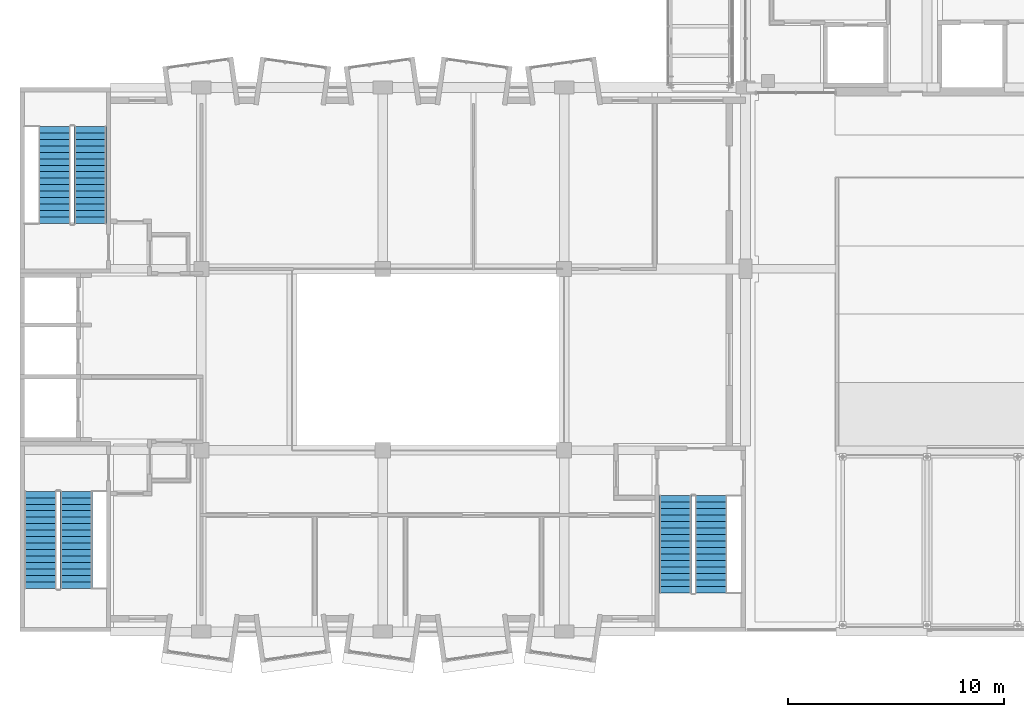
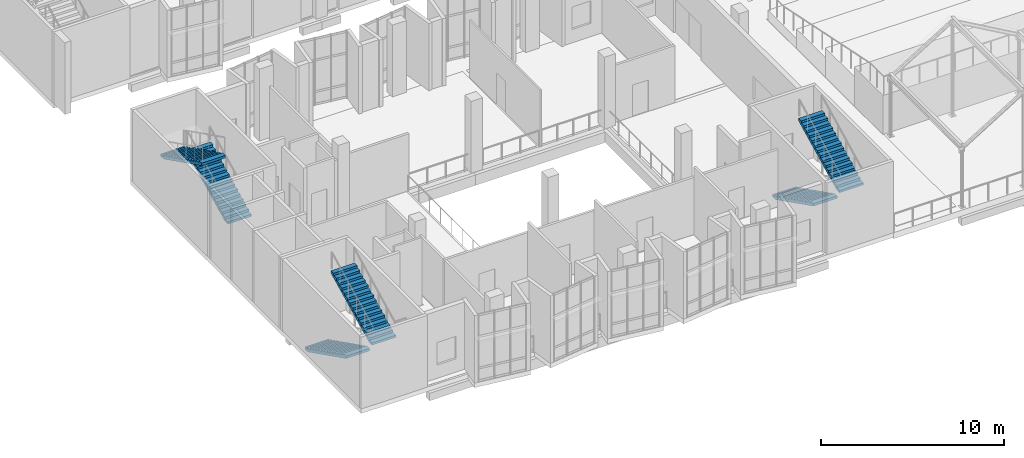
# One storey, part 51 of 67: 6 stair flights, 3 elements without a shape of their own.
"""IFC4 building model written with IfcOpenShell, lengths in metres."""

from ifc_helpers import new_model, si_unit, direction, frame, origin, place, context, subcontext, project, spatial, polyline, outline, extrude, material, type_object, element, aggregate, save


model = new_model("IFC4")

# Units and contexts
model_context = context("Model", 3, precision=1e-05, world=origin(), true_north=direction((0.0, 1.0)))
body_context = subcontext(model_context, "Body", "Model", "MODEL_VIEW")
ifc_project = project(units=[si_unit("LENGTHUNIT", "METRE"), si_unit("AREAUNIT", "SQUARE_METRE"), si_unit("VOLUMEUNIT", "CUBIC_METRE"), si_unit("PLANEANGLEUNIT", "RADIAN"), si_unit("MASSUNIT", "GRAM", prefix="KILO")], contexts=[model_context])

# Site, building, storey
site_placement = place(None, origin())
site = spatial("IfcSite", under=ifc_project, at=site_placement, CompositionType="ELEMENT")
building_placement = place(site_placement, origin())
building = spatial("IfcBuilding", under=site, at=building_placement, Name="Kiln Court Media Centre", CompositionType="ELEMENT")
storey_placement = place(building_placement, frame((0.0, 0.0, 19.800048828125)))
storey = spatial("IfcBuildingStorey", under=building, at=storey_placement, Name="L04", CompositionType="ELEMENT", Elevation=19.800048828125)

# Stair, stair flights
ifc_material_1 = material(Name="Concrete C40/50", Category="concrete")
stair_type = type_object("IfcStairType", Name="Concrete C40/50 dog-leg stair 1500 wide, 150 riser", PredefinedType="HALF_TURN_STAIR", material=ifc_material_1)
stair_1_placement = place(storey_placement, origin())
stair_1 = element("IfcStair", 1, at=stair_1_placement, inside=storey, type_object=stair_type, Name="ST-01 L04", PredefinedType="HALF_TURN_STAIR")
ifc_material_2 = material(Name="Concrete C40/50", Category="concrete")
stair_flight_type = type_object("IfcStairFlightType", Name="Concrete C40/50 stair flight 1500 wide, 150 riser, 300 going", PredefinedType="STRAIGHT", material=ifc_material_2)
stair_flight_1_placement = place(storey_placement, frame((0.949951171875, 6.5, 0.0), z_axis=(0.0, 0.0, 1.0), x_axis=(0.0, -1.0, 0.0)))
stair_flight_1 = element("IfcStairFlight", 2, at=stair_flight_1_placement, type_object=stair_flight_type, Name="L04-ST-5000 flight 5000", NumberOfRisers=16, NumberOfTreads=15, PredefinedType="STRAIGHT", RiserHeight=0.15, TreadLength=0.3, context=body_context, shape_type="SweptSolid", body=[
    extrude(outline(polyline([(0.0, 0.0), (0.0, 0.14990234375), (0.300048828125, 0.14990234375), (0.300048828125, 0.300048828125), (0.60009765625, 0.300048828125), (0.60009765625, 0.449951171875), (0.89990234375, 0.449951171875), (0.89990234375, 0.60009765625), (1.199951171875, 0.60009765625), (1.199951171875, 0.75), (1.5, 0.75), (1.5, 0.89990234375), (1.800048828125, 0.89990234375), (1.800048828125, 1.050048828125), (2.10009765625, 1.050048828125), (2.10009765625, 1.199951171875), (2.39990234375, 1.199951171875), (2.39990234375, 1.35009765625), (2.699951171875, 1.35009765625), (2.699951171875, 1.5), (3.0, 1.5), (3.0, 1.64990234375), (3.300048828125, 1.64990234375), (3.300048828125, 1.800048828125), (3.60009765625, 1.800048828125), (3.60009765625, 1.949951171875), (3.89990234375, 1.949951171875), (3.89990234375, 2.10009765625), (4.199951171875, 2.10009765625), (4.199951171875, 2.25), (4.5, 2.25), (4.5, 2.39990234375), (4.5, 2.08251953125), (0.335205078125, 0.0), (0.0, 0.0)])), frame((0.0, 0.75, 0.0), z_axis=(0.0, -1.0, 0.0), x_axis=(1.0, 0.0, 0.0)), (0.0, 0.0, 1.0), 1.5),
])
stair_flight_2_placement = place(storey_placement, frame((2.60009765625, 2.0, 2.39990234375), z_axis=(0.0, 0.0, 1.0), x_axis=(0.0, 1.0, 0.0)))
stair_flight_2 = element("IfcStairFlight", 3, at=stair_flight_2_placement, type_object=stair_flight_type, Name="L04-ST-5000 flight 5001", NumberOfRisers=16, NumberOfTreads=15, PredefinedType="STRAIGHT", RiserHeight=0.15, TreadLength=0.3, context=body_context, shape_type="SweptSolid", body=[
    extrude(outline(polyline([(0.0, 0.0), (0.0, 0.14990234375), (0.300048828125, 0.14990234375), (0.300048828125, 0.300048828125), (0.60009765625, 0.300048828125), (0.60009765625, 0.449951171875), (0.89990234375, 0.449951171875), (0.89990234375, 0.60009765625), (1.199951171875, 0.60009765625), (1.199951171875, 0.75), (1.5, 0.75), (1.5, 0.89990234375), (1.800048828125, 0.89990234375), (1.800048828125, 1.050048828125), (2.10009765625, 1.050048828125), (2.10009765625, 1.199951171875), (2.39990234375, 1.199951171875), (2.39990234375, 1.35009765625), (2.699951171875, 1.35009765625), (2.699951171875, 1.5), (3.0, 1.5), (3.0, 1.64990234375), (3.300048828125, 1.64990234375), (3.300048828125, 1.800048828125), (3.60009765625, 1.800048828125), (3.60009765625, 1.949951171875), (3.89990234375, 1.949951171875), (3.89990234375, 2.10009765625), (4.199951171875, 2.10009765625), (4.199951171875, 2.25), (4.5, 2.25), (4.5, 2.39990234375), (4.5, 2.08251953125), (0.335205078125, 0.0), (0.0, 0.0)])), frame((0.0, 0.75, 0.0), z_axis=(0.0, -1.0, 0.0), x_axis=(1.0, 0.0, 0.0)), (0.0, 0.0, 1.0), 1.5),
])
aggregate(stair_1, [stair_flight_1, stair_flight_2])

stair_2_placement = place(storey_placement, origin())
stair_2 = element("IfcStair", 4, at=stair_2_placement, inside=storey, type_object=stair_type, Name="ST-02 L04", PredefinedType="HALF_TURN_STAIR")
stair_flight_3_placement = place(storey_placement, frame((3.25, 18.89990234375, 0.0), z_axis=(0.0, 0.0, 1.0), x_axis=(0.0, 1.0, 0.0)))
stair_flight_3 = element("IfcStairFlight", 5, at=stair_flight_3_placement, type_object=stair_flight_type, Name="L04-ST-5001 flight 5002", NumberOfRisers=16, NumberOfTreads=15, PredefinedType="STRAIGHT", RiserHeight=0.15, TreadLength=0.3, context=body_context, shape_type="SweptSolid", body=[
    extrude(outline(polyline([(0.0, 0.0), (0.0, 0.14990234375), (0.300048828125, 0.14990234375), (0.300048828125, 0.300048828125), (0.60009765625, 0.300048828125), (0.60009765625, 0.449951171875), (0.89990234375, 0.449951171875), (0.89990234375, 0.60009765625), (1.199951171875, 0.60009765625), (1.199951171875, 0.75), (1.5, 0.75), (1.5, 0.89990234375), (1.800048828125, 0.89990234375), (1.800048828125, 1.050048828125), (2.10009765625, 1.050048828125), (2.10009765625, 1.199951171875), (2.39990234375, 1.199951171875), (2.39990234375, 1.35009765625), (2.699951171875, 1.35009765625), (2.699951171875, 1.5), (3.0, 1.5), (3.0, 1.64990234375), (3.300048828125, 1.64990234375), (3.300048828125, 1.800048828125), (3.60009765625, 1.800048828125), (3.60009765625, 1.949951171875), (3.89990234375, 1.949951171875), (3.89990234375, 2.10009765625), (4.199951171875, 2.10009765625), (4.199951171875, 2.25), (4.5, 2.25), (4.5, 2.39990234375), (4.5, 2.08251953125), (0.335205078125, 0.0), (0.0, 0.0)])), frame((0.0, 0.75, 0.0), z_axis=(0.0, -1.0, 0.0), x_axis=(1.0, 0.0, 0.0)), (0.0, 0.0, 1.0), 1.5),
])
stair_flight_4_placement = place(storey_placement, frame((1.60009765625, 23.39990234375, 2.39990234375), z_axis=(0.0, 0.0, 1.0), x_axis=(0.0, -1.0, 0.0)))
stair_flight_4 = element("IfcStairFlight", 6, at=stair_flight_4_placement, type_object=stair_flight_type, Name="L04-ST-5001 flight 5003", NumberOfRisers=16, NumberOfTreads=15, PredefinedType="STRAIGHT", RiserHeight=0.15, TreadLength=0.3, context=body_context, shape_type="SweptSolid", body=[
    extrude(outline(polyline([(0.0, 0.0), (0.0, 0.14990234375), (0.300048828125, 0.14990234375), (0.300048828125, 0.300048828125), (0.60009765625, 0.300048828125), (0.60009765625, 0.449951171875), (0.89990234375, 0.449951171875), (0.89990234375, 0.60009765625), (1.199951171875, 0.60009765625), (1.199951171875, 0.75), (1.5, 0.75), (1.5, 0.89990234375), (1.800048828125, 0.89990234375), (1.800048828125, 1.050048828125), (2.10009765625, 1.050048828125), (2.10009765625, 1.199951171875), (2.39990234375, 1.199951171875), (2.39990234375, 1.35009765625), (2.699951171875, 1.35009765625), (2.699951171875, 1.5), (3.0, 1.5), (3.0, 1.64990234375), (3.300048828125, 1.64990234375), (3.300048828125, 1.800048828125), (3.60009765625, 1.800048828125), (3.60009765625, 1.949951171875), (3.89990234375, 1.949951171875), (3.89990234375, 2.10009765625), (4.199951171875, 2.10009765625), (4.199951171875, 2.25), (4.5, 2.25), (4.5, 2.39990234375), (4.5, 2.08251953125), (0.335205078125, 0.0), (0.0, 0.0)])), frame((0.0, 0.75, 0.0), z_axis=(0.0, -1.0, 0.0), x_axis=(1.0, 0.0, 0.0)), (0.0, 0.0, 1.0), 1.5),
])
aggregate(stair_2, [stair_flight_3, stair_flight_4])

stair_3_placement = place(storey_placement, origin())
stair_3 = element("IfcStair", 7, at=stair_3_placement, inside=storey, type_object=stair_type, Name="ST-03 L04", PredefinedType="HALF_TURN_STAIR")
stair_flight_5_placement = place(storey_placement, frame((30.35009765625, 6.300048828125, 0.0), z_axis=(0.0, 0.0, 1.0), x_axis=(0.0, -1.0, 0.0)))
stair_flight_5 = element("IfcStairFlight", 8, at=stair_flight_5_placement, type_object=stair_flight_type, Name="L04-ST-5002 flight 5004", NumberOfRisers=16, NumberOfTreads=15, PredefinedType="STRAIGHT", RiserHeight=0.15, TreadLength=0.3, context=body_context, shape_type="SweptSolid", body=[
    extrude(outline(polyline([(0.0, 0.0), (0.0, 0.14990234375), (0.300048828125, 0.14990234375), (0.300048828125, 0.300048828125), (0.60009765625, 0.300048828125), (0.60009765625, 0.449951171875), (0.89990234375, 0.449951171875), (0.89990234375, 0.60009765625), (1.199951171875, 0.60009765625), (1.199951171875, 0.75), (1.5, 0.75), (1.5, 0.89990234375), (1.800048828125, 0.89990234375), (1.800048828125, 1.050048828125), (2.10009765625, 1.050048828125), (2.10009765625, 1.199951171875), (2.39990234375, 1.199951171875), (2.39990234375, 1.35009765625), (2.699951171875, 1.35009765625), (2.699951171875, 1.5), (3.0, 1.5), (3.0, 1.64990234375), (3.300048828125, 1.64990234375), (3.300048828125, 1.800048828125), (3.60009765625, 1.800048828125), (3.60009765625, 1.949951171875), (3.89990234375, 1.949951171875), (3.89990234375, 2.10009765625), (4.199951171875, 2.10009765625), (4.199951171875, 2.25), (4.5, 2.25), (4.5, 2.39990234375), (4.5, 2.08251953125), (0.335205078125, 0.0), (0.0, 0.0)])), frame((0.0, 0.75, 0.0), z_axis=(0.0, -1.0, 0.0), x_axis=(1.0, 0.0, 0.0)), (0.0, 0.0, 1.0), 1.5),
])
stair_flight_6_placement = place(storey_placement, frame((32.0, 1.800048828125, 2.39990234375), z_axis=(0.0, 0.0, 1.0), x_axis=(0.0, 1.0, 0.0)))
stair_flight_6 = element("IfcStairFlight", 9, at=stair_flight_6_placement, type_object=stair_flight_type, Name="L04-ST-5002 flight 5005", NumberOfRisers=16, NumberOfTreads=15, PredefinedType="STRAIGHT", RiserHeight=0.15, TreadLength=0.3, context=body_context, shape_type="SweptSolid", body=[
    extrude(outline(polyline([(0.0, 0.0), (0.0, 0.14990234375), (0.300048828125, 0.14990234375), (0.300048828125, 0.300048828125), (0.60009765625, 0.300048828125), (0.60009765625, 0.449951171875), (0.89990234375, 0.449951171875), (0.89990234375, 0.60009765625), (1.199951171875, 0.60009765625), (1.199951171875, 0.75), (1.5, 0.75), (1.5, 0.89990234375), (1.800048828125, 0.89990234375), (1.800048828125, 1.050048828125), (2.10009765625, 1.050048828125), (2.10009765625, 1.199951171875), (2.39990234375, 1.199951171875), (2.39990234375, 1.35009765625), (2.699951171875, 1.35009765625), (2.699951171875, 1.5), (3.0, 1.5), (3.0, 1.64990234375), (3.300048828125, 1.64990234375), (3.300048828125, 1.800048828125), (3.60009765625, 1.800048828125), (3.60009765625, 1.949951171875), (3.89990234375, 1.949951171875), (3.89990234375, 2.10009765625), (4.199951171875, 2.10009765625), (4.199951171875, 2.25), (4.5, 2.25), (4.5, 2.39990234375), (4.5, 2.08251953125), (0.335205078125, 0.0), (0.0, 0.0)])), frame((0.0, 0.75, 0.0), z_axis=(0.0, -1.0, 0.0), x_axis=(1.0, 0.0, 0.0)), (0.0, 0.0, 1.0), 1.5),
])
aggregate(stair_3, [stair_flight_5, stair_flight_6])

save(model, "model.ifc")
